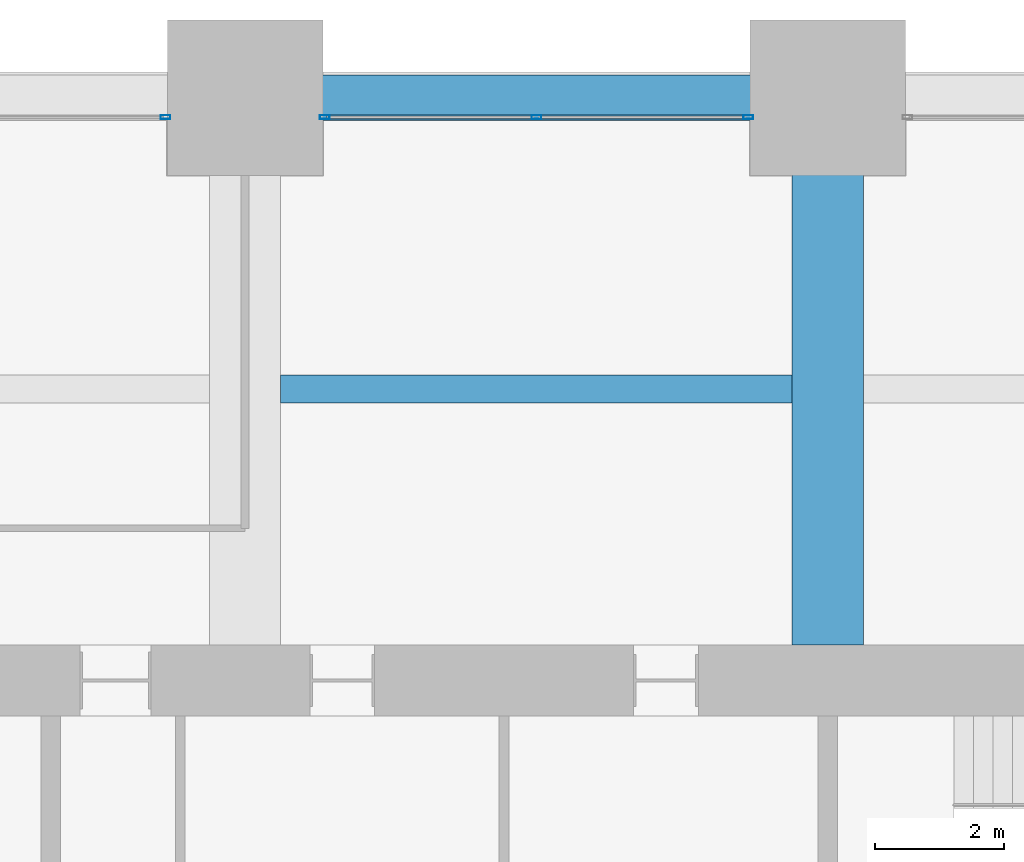
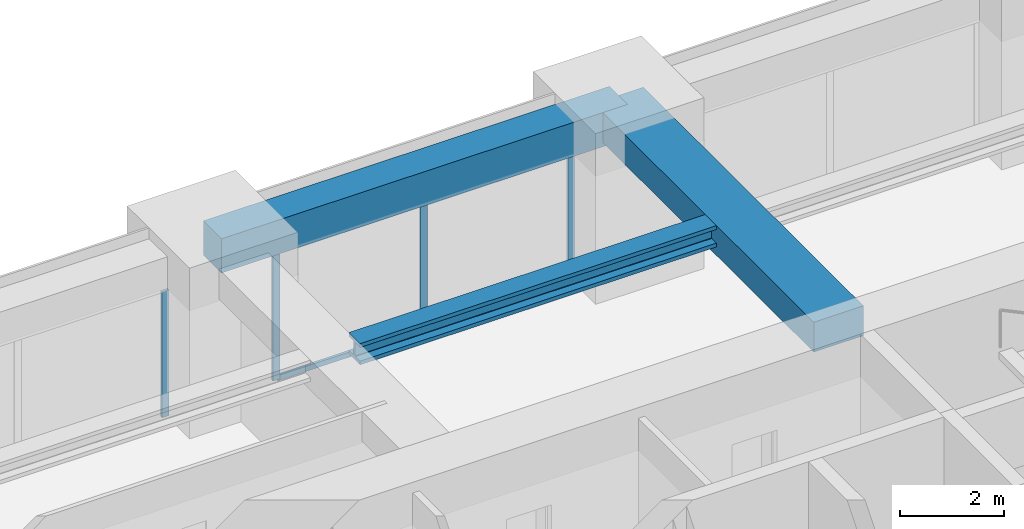
# One storey, part 29 of 40: 5 members, 3 beams, 2 elements without a shape of their own.
"""IFC4 building model written with IfcOpenShell, lengths in metres."""

from ifc_helpers import new_model, si_unit, direction, frame, origin, origin_2d, place, context, subcontext, project, spatial, rectangle, hollow_rectangle, i_section, extrude, material, material_profile, profile_set, type_object, element, aggregate, save


model = new_model("IFC4")

# Units and contexts
model_context = context("Model", 3, precision=1e-05, world=origin(), true_north=direction((0.0, 1.0)))
body_context = subcontext(model_context, "Body", "Model", "MODEL_VIEW")
ifc_project = project(units=[si_unit("LENGTHUNIT", "METRE"), si_unit("AREAUNIT", "SQUARE_METRE"), si_unit("VOLUMEUNIT", "CUBIC_METRE"), si_unit("PLANEANGLEUNIT", "RADIAN"), si_unit("MASSUNIT", "GRAM", prefix="KILO")], contexts=[model_context])

# Site, building, storey
site_placement = place(None, origin())
site = spatial("IfcSite", under=ifc_project, at=site_placement, CompositionType="ELEMENT")
building_placement = place(site_placement, origin())
building = spatial("IfcBuilding", under=site, at=building_placement, Name="Zorevar Civic Tower", CompositionType="ELEMENT")
storey_placement = place(building_placement, frame((0.0, 0.0, 129.0)))
storey = spatial("IfcBuildingStorey", under=building, at=storey_placement, Name="L31", CompositionType="ELEMENT", Elevation=129.0)

# Beam
ifc_material_1 = material(Name="Concrete C50/60", Category="concrete")
ifc_material_profile_1 = material_profile(ifc_material_1, rectangle(XDim=1.10009765625, YDim=0.699951171875, at=origin_2d()), Name="RC 1100x700")
ifc_profile_set_1 = profile_set([ifc_material_profile_1], Name="Concrete C50/60")
beam_type_1 = type_object("IfcBeamType", Name="Beam RC 1100x700", PredefinedType="BEAM", material=ifc_profile_set_1)
beam_1_placement = place(storey_placement, frame((36.0, 36.550048828125, 3.39990234375), z_axis=(0.0, 1.0, 0.0), x_axis=(-1.0, 0.0, 0.0)))
element("IfcBeam", 1, at=beam_1_placement, inside=storey, type_object=beam_type_1, Name="Girder L32", PredefinedType="BEAM", context=body_context, shape_type="SweptSolid", body=[
    extrude(rectangle(XDim=1.10009765625, YDim=0.699951171875, at=origin_2d()), origin(), (0.0, 0.0, 1.0), 8.449951171875),
])

# Curtain wall, member
ifc_material_2 = material(Name="Dark grey solar-control glass in black aluminium frame", Category="aluminium")
curtain_wall_type = type_object("IfcCurtainWallType", Name="Curtain wall CW3 mid zone", PredefinedType="NOTDEFINED", material=ifc_material_2)
curtain_wall_1_placement = place(storey_placement, origin())
curtain_wall_1 = element("IfcCurtainWall", 2, at=curtain_wall_1_placement, inside=storey, type_object=curtain_wall_type, Name="CW3 L31", PredefinedType="NOTDEFINED")
ifc_material_3 = material(Name="Aluminium, black anodised", Category="aluminium")
ifc_material_profile_2 = material_profile(ifc_material_3, hollow_rectangle(XDim=0.06005859375, YDim=0.14990234375, WallThickness=0.00390625, at=origin_2d()), Name="AL 150x60x4")
ifc_profile_set_2 = profile_set([ifc_material_profile_2], Name="Aluminium, black anodised")
member_type_1 = type_object("IfcMemberType", Name="CW3 mullion AL 150x60x4", PredefinedType="MULLION", material=ifc_profile_set_2)
member_1_placement = place(storey_placement, frame((25.77001953125, 44.699951171875, 0.0), z_axis=(0.0, 0.0, 1.0), x_axis=(0.0, 1.0, 0.0)))
member_1 = element("IfcMember", 3, at=member_1_placement, type_object=member_type_1, Name="CW3 mullion 3", PredefinedType="MULLION", context=body_context, shape_type="SweptSolid", body=[
    extrude(hollow_rectangle(XDim=0.06005859375, YDim=0.14990234375, WallThickness=0.00390625, at=origin_2d()), origin(), (0.0, 0.0, 1.0), 2.949951171875),
])
aggregate(curtain_wall_1, [member_1])

# Curtain wall, members
curtain_wall_2_placement = place(storey_placement, origin())
curtain_wall_2 = element("IfcCurtainWall", 4, at=curtain_wall_2_placement, inside=storey, type_object=curtain_wall_type, Name="CW3 L31", PredefinedType="NOTDEFINED")
member_2_placement = place(storey_placement, frame((28.22998046875, 44.699951171875, 0.0), z_axis=(0.0, 0.0, 1.0), x_axis=(0.0, 1.0, 0.0)))
member_2 = element("IfcMember", 5, at=member_2_placement, type_object=member_type_1, Name="CW3 mullion 1", PredefinedType="MULLION", context=body_context, shape_type="SweptSolid", body=[
    extrude(hollow_rectangle(XDim=0.06005859375, YDim=0.14990234375, WallThickness=0.00390625, at=origin_2d()), origin(), (0.0, 0.0, 1.0), 2.949951171875),
])
member_3_placement = place(storey_placement, frame((31.5, 44.699951171875, 0.06005859375), z_axis=(0.0, 0.0, 1.0), x_axis=(0.0, 1.0, 0.0)))
member_3 = element("IfcMember", 6, at=member_3_placement, type_object=member_type_1, Name="CW3 mullion 2", PredefinedType="MULLION", context=body_context, shape_type="SweptSolid", body=[
    extrude(hollow_rectangle(XDim=0.06005859375, YDim=0.14990234375, WallThickness=0.00390625, at=origin_2d()), origin(), (0.0, 0.0, 1.0), 2.889892578125),
])
member_4_placement = place(storey_placement, frame((34.77001953125, 44.699951171875, 0.0), z_axis=(0.0, 0.0, 1.0), x_axis=(0.0, 1.0, 0.0)))
member_4 = element("IfcMember", 7, at=member_4_placement, type_object=member_type_1, Name="CW3 mullion 3", PredefinedType="MULLION", context=body_context, shape_type="SweptSolid", body=[
    extrude(hollow_rectangle(XDim=0.06005859375, YDim=0.14990234375, WallThickness=0.00390625, at=origin_2d()), origin(), (0.0, 0.0, 1.0), 2.949951171875),
])
ifc_material_4 = material(Name="Aluminium, black anodised", Category="aluminium")
ifc_material_profile_3 = material_profile(ifc_material_4, hollow_rectangle(XDim=0.06005859375, YDim=0.1201171875, WallThickness=0.0029296875, at=origin_2d()), Name="AL 120x60x3")
ifc_profile_set_3 = profile_set([ifc_material_profile_3], Name="Aluminium, black anodised")
member_type_2 = type_object("IfcMemberType", Name="CW3 transom AL 120x60x3", PredefinedType="USERDEFINED", material=ifc_profile_set_3)
member_5_placement = place(storey_placement, frame((28.260009765625, 44.699951171875, 0.030029296875), z_axis=(1.0, 0.0, 0.0), x_axis=(0.0, 1.0, 0.0)))
member_5 = element("IfcMember", 8, at=member_5_placement, type_object=member_type_2, Name="CW3 sill transom", ObjectType="TRANSOM", PredefinedType="USERDEFINED", context=body_context, shape_type="SweptSolid", body=[
    extrude(hollow_rectangle(XDim=0.06005859375, YDim=0.1201171875, WallThickness=0.0029296875, at=origin_2d()), origin(), (0.0, 0.0, 1.0), 6.47998046875),
])
aggregate(curtain_wall_2, [member_2, member_3, member_4, member_5])

# Beams
ifc_material_5 = material(Name="Steel S460M (HISTAR 460)", Category="steel")
ifc_material_profile_4 = material_profile(ifc_material_5, i_section(OverallWidth=0.431884765625, OverallDepth=0.498046875, WebThickness=0.0556640625, FlangeThickness=0.0888671875, FilletRadius=0.014892578125, at=origin_2d()), Name="HD 400x744")
ifc_profile_set_4 = profile_set([ifc_material_profile_4], Name="Steel S460M (HISTAR 460)")
beam_type_2 = type_object("IfcBeamType", Name="Core bay beam HD 400x744", PredefinedType="BEAM", material=ifc_profile_set_4)
beam_2_placement = place(storey_placement, frame((27.550048828125, 40.5, 3.5009765625), z_axis=(1.0, 0.0, 0.0), x_axis=(0.0, 1.0, 0.0)))
element("IfcBeam", 9, at=beam_2_placement, inside=storey, type_object=beam_type_2, Name="Secondary beam L32", PredefinedType="BEAM", context=body_context, shape_type="SweptSolid", body=[
    extrude(i_section(OverallWidth=0.431884765625, OverallDepth=0.498046875, WebThickness=0.0556640625, FlangeThickness=0.0888671875, FilletRadius=0.014892578125, at=origin_2d()), origin(), (0.0, 0.0, 1.0), 7.89990234375),
])
ifc_material_6 = material(Name="Concrete C50/60", Category="concrete")
ifc_material_profile_5 = material_profile(ifc_material_6, rectangle(XDim=0.699951171875, YDim=0.800048828125, at=origin_2d()), Name="RC 700x800")
ifc_profile_set_5 = profile_set([ifc_material_profile_5], Name="Concrete C50/60")
beam_type_3 = type_object("IfcBeamType", Name="Edge beam RC 700x800", PredefinedType="SPANDREL", material=ifc_profile_set_5)
beam_3_placement = place(storey_placement, frame((27.0, 45.0, 3.35009765625), z_axis=(1.0, 0.0, 0.0), x_axis=(0.0, 1.0, 0.0)))
element("IfcBeam", 10, at=beam_3_placement, inside=storey, type_object=beam_type_3, Name="Edge beam L32", PredefinedType="SPANDREL", context=body_context, shape_type="SweptSolid", body=[
    extrude(rectangle(XDim=0.699951171875, YDim=0.800048828125, at=origin_2d()), origin(), (0.0, 0.0, 1.0), 9.0),
])

save(model, "model.ifc")
